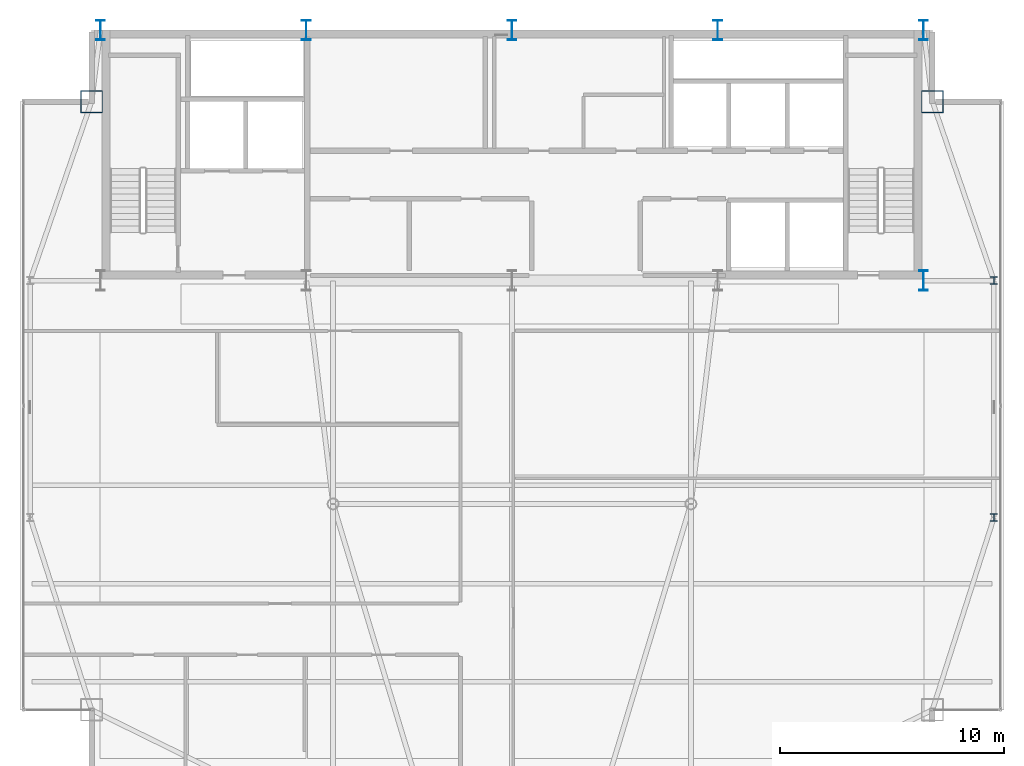
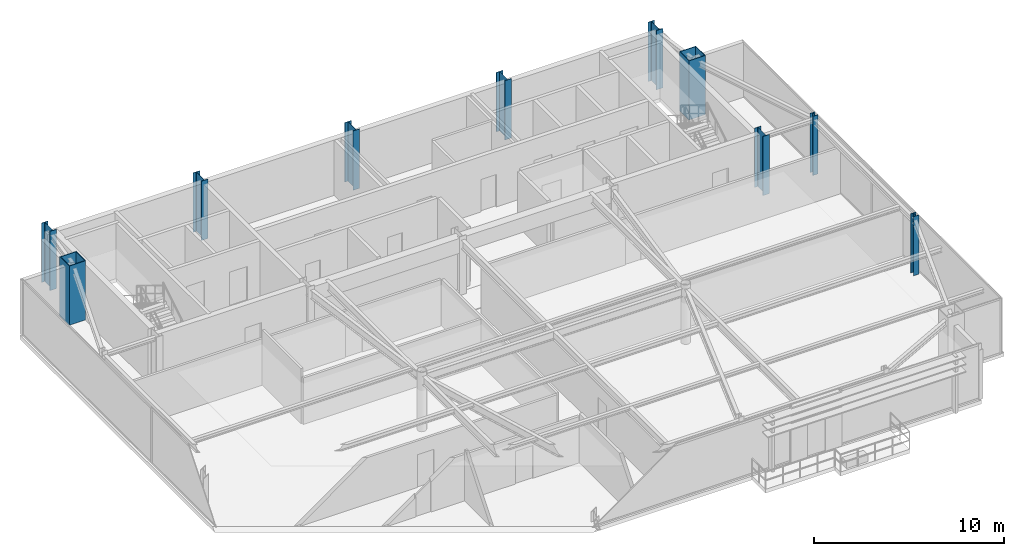
# One storey, part 2 of 24: 10 columns.
"""IFC4 building model written with IfcOpenShell, lengths in metres."""

from ifc_helpers import new_model, si_unit, direction, frame, origin, origin_2d, place, context, subcontext, project, spatial, hollow_rectangle, i_section, extrude, source, transform, mapped, material, material_profile, profile_set, type_object, type_shapes, element, save


model = new_model("IFC4")

# Units and contexts
model_context = context("Model", 3, precision=1e-05, world=origin(), true_north=direction((0.0, 1.0)))
body_context = subcontext(model_context, "Body", "Model", "MODEL_VIEW")
ifc_project = project(units=[si_unit("LENGTHUNIT", "METRE"), si_unit("AREAUNIT", "SQUARE_METRE"), si_unit("VOLUMEUNIT", "CUBIC_METRE"), si_unit("PLANEANGLEUNIT", "RADIAN"), si_unit("MASSUNIT", "GRAM", prefix="KILO")], contexts=[model_context])

# Site, building, storey
site_placement = place(None, origin())
site = spatial("IfcSite", under=ifc_project, at=site_placement, CompositionType="ELEMENT")
building_placement = place(site_placement, origin())
building = spatial("IfcBuilding", under=site, at=building_placement, Name="Varnel Quay Broadcast Tower", CompositionType="ELEMENT")
storey_placement = place(building_placement, frame((0.0, 0.0, 281.199951171875)))
storey = spatial("IfcBuildingStorey", under=building, at=storey_placement, Name="L70", CompositionType="ELEMENT", Elevation=281.199951171875)

# Columns
ifc_material_1 = material(Name="Structural Steel CSA G40.21 350WT", Category="steel")
ifc_material_profile_1 = material_profile(ifc_material_1, i_section(OverallWidth=0.39990234375, OverallDepth=0.89990234375, WebThickness=0.01611328125, FlangeThickness=0.028076171875, FilletRadius=0.01611328125, at=origin_2d()), Name="WWF900X309")
ifc_profile_set_1 = profile_set([ifc_material_profile_1], Name="Structural Steel CSA G40.21 350WT")
column_type_1 = type_object("IfcColumnType", Name="Col_WWF900X309", PredefinedType="COLUMN", material=ifc_profile_set_1)
shared_shape_1 = source(origin(), body_context, "Body", "SweptSolid", [
    extrude(i_section(OverallWidth=0.39990234375, OverallDepth=0.89990234375, WebThickness=0.01611328125, FlangeThickness=0.028076171875, FilletRadius=0.01611328125, at=origin_2d()), origin(), (0.0, 0.0, 1.0), 3.800048828125),
])
type_shapes(column_type_1, [shared_shape_1])
for number, where, z_axis, x_axis, name in (
    (1, (15.60009765625, 46.800048828125, 0.0), (0.0, 0.0, 1.0), (1.0, 0.0, 0.0), "L70 Column CC-N1"),
    (2, (24.800048828125, 46.800048828125, 0.0), (0.0, 0.0, 1.0), (1.0, 0.0, 0.0), "L70 Column CC-N2"),
    (3, (34.0, 46.800048828125, 0.0), (0.0, 0.0, 1.0), (1.0, 0.0, 0.0), "L70 Column CC-N3"),
    (4, (43.199951171875, 46.800048828125, 0.0), (0.0, 0.0, 1.0), (1.0, 0.0, 0.0), "L70 Column CC-N4"),
    (5, (52.39990234375, 35.60009765625, 0.0), (0.0, 0.0, 1.0), (1.0, 0.0, 0.0), "L70 Column CC-S5"),
    (6, (52.39990234375, 46.800048828125, 0.0), (0.0, 0.0, 1.0), (1.0, 0.0, 0.0), "L70 Column CC-N5"),
):
    element("IfcColumn", number, at=place(storey_placement, frame(where, z_axis=z_axis, x_axis=x_axis)), inside=storey, type_object=column_type_1, Name=name, PredefinedType="COLUMN", context=body_context, shape_type="MappedRepresentation", body=[
        mapped(shared_shape_1, transform((0.0, 0.0, 0.0), x_axis=(1.0, 0.0, 0.0), y_axis=(0.0, 1.0, 0.0), z_axis=(0.0, 0.0, 1.0), scale=1.0)),
    ])
ifc_material_profile_2 = material_profile(ifc_material_1, hollow_rectangle(XDim=1.0, YDim=1.0, WallThickness=0.0400390625, at=origin_2d()), Name="BOX1000X1000X40")
ifc_profile_set_2 = profile_set([ifc_material_profile_2], Name="Structural Steel CSA G40.21 350WT")
column_type_2 = type_object("IfcColumnType", Name="Col_BOX1000X1000X40", PredefinedType="COLUMN", material=ifc_profile_set_2)
shared_shape_2 = source(origin(), body_context, "Body", "SweptSolid", [
    extrude(hollow_rectangle(XDim=1.0, YDim=1.0, WallThickness=0.0400390625, at=origin_2d()), origin(), (0.0, 0.0, 1.0), 3.800048828125),
])
type_shapes(column_type_2, [shared_shape_2])
for number, where, z_axis, x_axis, name in (
    (7, (52.800048828125, 43.60009765625, 0.0), (0.0, 0.0, 1.0), (1.0, 0.0, 0.0), "L70 Column MC-NE"),
    (8, (15.199951171875, 43.60009765625, 0.0), (0.0, 0.0, 1.0), (1.0, 0.0, 0.0), "L70 Column MC-NW"),
):
    element("IfcColumn", number, at=place(storey_placement, frame(where, z_axis=z_axis, x_axis=x_axis)), inside=storey, type_object=column_type_2, Name=name, PredefinedType="COLUMN", context=body_context, shape_type="MappedRepresentation", body=[
        mapped(shared_shape_2, transform((0.0, 0.0, 0.0), x_axis=(1.0, 0.0, 0.0), y_axis=(0.0, 1.0, 0.0), z_axis=(0.0, 0.0, 1.0), scale=1.0)),
    ])
ifc_material_2 = material(Name="Structural Steel CSA G40.21 350W", Category="steel")
ifc_material_profile_3 = material_profile(ifc_material_2, i_section(OverallWidth=0.30908203125, OverallDepth=0.322998046875, WebThickness=0.013916015625, FlangeThickness=0.02294921875, FilletRadius=0.014892578125, at=origin_2d()), Name="W310X143")
ifc_profile_set_3 = profile_set([ifc_material_profile_3], Name="Structural Steel CSA G40.21 350W")
column_type_3 = type_object("IfcColumnType", Name="Col_W310X143", PredefinedType="COLUMN", material=ifc_profile_set_3)
shared_shape_3 = source(origin(), body_context, "Body", "SweptSolid", [
    extrude(i_section(OverallWidth=0.30908203125, OverallDepth=0.322998046875, WebThickness=0.013916015625, FlangeThickness=0.02294921875, FilletRadius=0.014892578125, at=origin_2d()), origin(), (0.0, 0.0, 1.0), 3.800048828125),
])
type_shapes(column_type_3, [shared_shape_3])
for number, where, z_axis, x_axis, name in (
    (9, (55.550048828125, 25.0, 0.0), (0.0, 0.0, 1.0), (1.0, 0.0, 0.0), "L70 Column TC-E1"),
    (10, (55.550048828125, 35.60009765625, 0.0), (0.0, 0.0, 1.0), (1.0, 0.0, 0.0), "L70 Column TC-E2"),
):
    element("IfcColumn", number, at=place(storey_placement, frame(where, z_axis=z_axis, x_axis=x_axis)), inside=storey, type_object=column_type_3, Name=name, PredefinedType="COLUMN", context=body_context, shape_type="MappedRepresentation", body=[
        mapped(shared_shape_3, transform((0.0, 0.0, 0.0), x_axis=(1.0, 0.0, 0.0), y_axis=(0.0, 1.0, 0.0), z_axis=(0.0, 0.0, 1.0), scale=1.0)),
    ])

save(model, "model.ifc")
